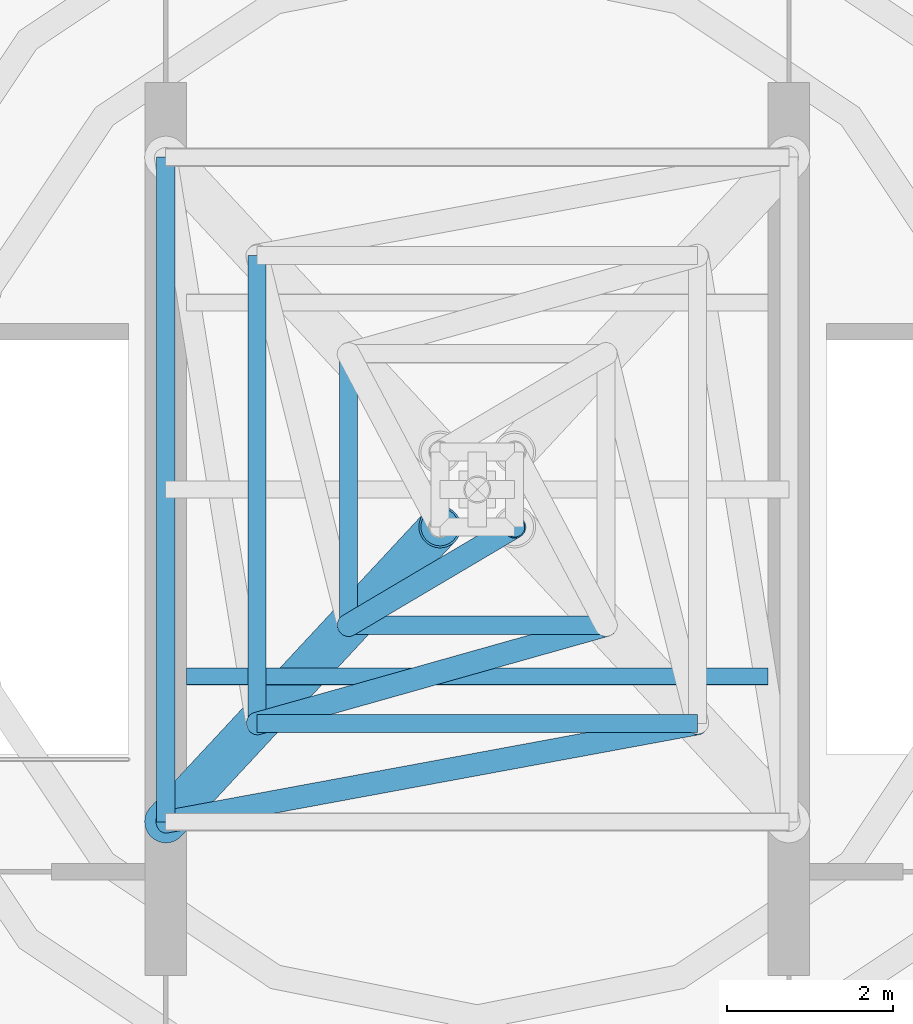
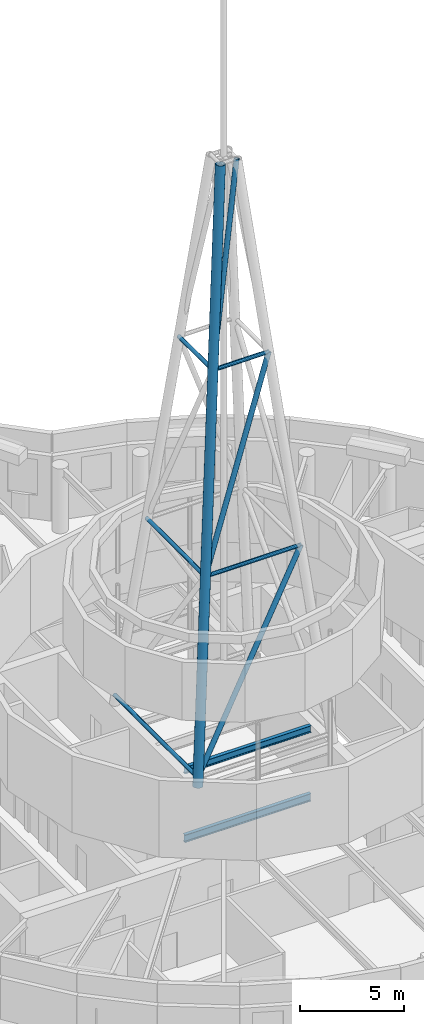
# One storey, part 3 of 17: 9 members, 2 beams.
"""IFC4 building model written with IfcOpenShell, lengths in metres."""

from ifc_helpers import new_model, si_unit, direction, frame, origin, origin_2d, place, context, subcontext, project, spatial, hollow_circle, i_section, extrude, material, material_profile, profile_set, type_object, element, save


model = new_model("IFC4")

# Units and contexts
model_context = context("Model", 3, precision=1e-05, world=origin(), true_north=direction((0.0, 1.0)))
body_context = subcontext(model_context, "Body", "Model", "MODEL_VIEW")
ifc_project = project(units=[si_unit("LENGTHUNIT", "METRE"), si_unit("AREAUNIT", "SQUARE_METRE"), si_unit("VOLUMEUNIT", "CUBIC_METRE"), si_unit("PLANEANGLEUNIT", "RADIAN"), si_unit("MASSUNIT", "GRAM", prefix="KILO")], contexts=[model_context])

# Site, building, storey
site_placement = place(None, origin())
site = spatial("IfcSite", under=ifc_project, at=site_placement, CompositionType="ELEMENT")
building_placement = place(site_placement, origin())
building = spatial("IfcBuilding", under=site, at=building_placement, Name="Tamarind Cross Interchange Tower", CompositionType="ELEMENT")
storey_placement = place(building_placement, frame((0.0, 0.0, 325.39990234375)))
storey = spatial("IfcBuildingStorey", under=building, at=storey_placement, Name="L80", CompositionType="ELEMENT", Elevation=325.39990234375)

# Beams
ifc_material = material(Name="Steel Q355B", Category="steel")
ifc_material_profile_1 = material_profile(ifc_material, i_section(OverallWidth=0.199951171875, OverallDepth=0.39990234375, WebThickness=0.008056640625, FlangeThickness=0.012939453125, FilletRadius=0.01611328125, at=origin_2d()), Name="HN 400x200x8x13")
ifc_profile_set_1 = profile_set([ifc_material_profile_1], Name="Steel Q355B")
beam_type_1 = type_object("IfcBeamType", Name="Composite beam HN 400x200x8x13 Q355B", PredefinedType="BEAM", material=ifc_profile_set_1)
beam_1_placement = place(storey_placement, frame((-3.5, -2.25, 3.60009765625), z_axis=(1.0, 0.0, 0.0), x_axis=(0.0, 1.0, 0.0)))
element("IfcBeam", 1, at=beam_1_placement, inside=storey, type_object=beam_type_1, Name="Beam G-2.25", PredefinedType="BEAM", context=body_context, shape_type="SweptSolid", body=[
    extrude(i_section(OverallWidth=0.199951171875, OverallDepth=0.39990234375, WebThickness=0.008056640625, FlangeThickness=0.012939453125, FilletRadius=0.01611328125, at=origin_2d()), origin(), (0.0, 0.0, 1.0), 7.0),
])
ifc_material_profile_2 = material_profile(ifc_material, i_section(OverallWidth=0.198974609375, OverallDepth=0.446044921875, WebThickness=0.008056640625, FlangeThickness=0.011962890625, FilletRadius=0.012939453125, at=origin_2d()), Name="HN 446x199x8x12")
ifc_profile_set_2 = profile_set([ifc_material_profile_2], Name="Steel Q355B")
beam_type_2 = type_object("IfcBeamType", Name="Composite beam HN 446x199x8x12 Q355B", PredefinedType="BEAM", material=ifc_profile_set_2)
beam_2_placement = place(storey_placement, frame((-3.5, -2.25, -0.40283203125), z_axis=(1.0, 0.0, 0.0), x_axis=(0.0, 1.0, 0.0)))
element("IfcBeam", 2, at=beam_2_placement, inside=storey, type_object=beam_type_2, Name="Beam G-2.25", PredefinedType="BEAM", context=body_context, shape_type="SweptSolid", body=[
    extrude(i_section(OverallWidth=0.198974609375, OverallDepth=0.446044921875, WebThickness=0.008056640625, FlangeThickness=0.011962890625, FilletRadius=0.012939453125, at=origin_2d()), origin(), (0.0, 0.0, 1.0), 7.0),
])

# Members
ifc_material_profile_3 = material_profile(ifc_material, hollow_circle(Radius=0.136474609375, WallThickness=0.013916015625, at=origin_2d()), Name="CHS 273x14")
ifc_profile_set_3 = profile_set([ifc_material_profile_3], Name="Steel Q355B")
member_type_1 = type_object("IfcMemberType", Name="Spire brace CHS 273x14 Q355B", PredefinedType="BRACE", material=ifc_profile_set_3)
member_1_placement = place(storey_placement, frame((-3.75, -4.0, 4.300048828125), z_axis=(0.511015207739, 0.094487324022, 0.854362688241), x_axis=(-0.181819258556, 0.983331966946, 0.0)))
element("IfcMember", 3, at=member_1_placement, inside=storey, type_object=member_type_1, Name="Spire brace 23", PredefinedType="BRACE", context=body_context, shape_type="SweptSolid", body=[
    extrude(hollow_circle(Radius=0.136474609375, WallThickness=0.013916015625, at=origin_2d()), origin(), (0.0, 0.0, 1.0), 12.52392578125),
])
member_2_placement = place(storey_placement, frame((-2.64990234375, -2.816650390625, 15.0), z_axis=(0.354910081386, 0.099997044962, 0.929537210191), x_axis=(-0.271194370507, 0.962524604052, 0.0)))
element("IfcMember", 4, at=member_2_placement, inside=storey, type_object=member_type_1, Name="Spire brace 27", PredefinedType="BRACE", context=body_context, shape_type="SweptSolid", body=[
    extrude(hollow_circle(Radius=0.136474609375, WallThickness=0.013916015625, at=origin_2d()), origin(), (0.0, 0.0, 1.0), 11.833740234375),
])
member_3_placement = place(storey_placement, frame((-1.550048828125, -1.63330078125, 26.0), z_axis=(0.177891794167, 0.105254092569, 0.978404867918), x_axis=(-0.509217679041, 0.860637760822, 0.0)))
element("IfcMember", 5, at=member_3_placement, inside=storey, type_object=member_type_1, Name="Spire brace 31", PredefinedType="BRACE", context=body_context, shape_type="SweptSolid", body=[
    extrude(hollow_circle(Radius=0.136474609375, WallThickness=0.013916015625, at=origin_2d()), origin(), (0.0, 0.0, 1.0), 11.24267578125),
])
ifc_material_profile_4 = material_profile(ifc_material, hollow_circle(Radius=0.25390625, WallThickness=0.02490234375, at=origin_2d()), Name="CHS 508x25")
ifc_profile_set_4 = profile_set([ifc_material_profile_4], Name="Steel Q355B")
member_type_2 = type_object("IfcMemberType", Name="Spire leg CHS 508x25 Q355B", PredefinedType="POST", material=ifc_profile_set_4)
member_4_placement = place(storey_placement, frame((-3.75, -4.0, 3.800048828125), z_axis=(0.098356543925, 0.105807687002, 0.989510345392), x_axis=(-0.732425616883, 0.68084705752, 0.0)))
element("IfcMember", 6, at=member_4_placement, inside=storey, type_object=member_type_2, Name="Spire leg 3", PredefinedType="POST", context=body_context, shape_type="SweptSolid", body=[
    extrude(hollow_circle(Radius=0.25390625, WallThickness=0.02490234375, at=origin_2d()), origin(), (0.0, 0.0, 1.0), 33.552001953125),
])
ifc_material_profile_5 = material_profile(ifc_material, hollow_circle(Radius=0.109619140625, WallThickness=0.011962890625, at=origin_2d()), Name="CHS 219x12")
ifc_profile_set_5 = profile_set([ifc_material_profile_5], Name="Steel Q355B")
member_type_3 = type_object("IfcMemberType", Name="Spire ring CHS 219x12 Q355B", PredefinedType="CHORD", material=ifc_profile_set_5)
member_5_placement = place(storey_placement, frame((-3.75, 4.0, 4.300048828125), z_axis=(0.0, -1.0, 0.0), x_axis=(1.0, 0.0, 0.0)))
element("IfcMember", 7, at=member_5_placement, inside=storey, type_object=member_type_3, Name="Spire ring 6", PredefinedType="CHORD", context=body_context, shape_type="SweptSolid", body=[
    extrude(hollow_circle(Radius=0.109619140625, WallThickness=0.011962890625, at=origin_2d()), origin(), (0.0, 0.0, 1.0), 8.0),
])
member_6_placement = place(storey_placement, frame((-2.64990234375, 2.816650390625, 15.0), z_axis=(0.0, -1.0, 0.0), x_axis=(1.0, 0.0, 0.0)))
element("IfcMember", 8, at=member_6_placement, inside=storey, type_object=member_type_3, Name="Spire ring 10", PredefinedType="CHORD", context=body_context, shape_type="SweptSolid", body=[
    extrude(hollow_circle(Radius=0.109619140625, WallThickness=0.011962890625, at=origin_2d()), origin(), (0.0, 0.0, 1.0), 5.63330078125),
])
member_7_placement = place(storey_placement, frame((-2.64990234375, -2.816650390625, 15.0), z_axis=(1.0, 0.0, 0.0), x_axis=(0.0, 1.0, 0.0)))
element("IfcMember", 9, at=member_7_placement, inside=storey, type_object=member_type_3, Name="Spire ring 11", PredefinedType="CHORD", context=body_context, shape_type="SweptSolid", body=[
    extrude(hollow_circle(Radius=0.109619140625, WallThickness=0.011962890625, at=origin_2d()), origin(), (0.0, 0.0, 1.0), 5.2998046875),
])
member_8_placement = place(storey_placement, frame((-1.550048828125, 1.63330078125, 26.0), z_axis=(0.0, -1.0, 0.0), x_axis=(1.0, 0.0, 0.0)))
element("IfcMember", 10, at=member_8_placement, inside=storey, type_object=member_type_3, Name="Spire ring 14", PredefinedType="CHORD", context=body_context, shape_type="SweptSolid", body=[
    extrude(hollow_circle(Radius=0.109619140625, WallThickness=0.011962890625, at=origin_2d()), origin(), (0.0, 0.0, 1.0), 3.2666015625),
])
member_9_placement = place(storey_placement, frame((-1.550048828125, -1.63330078125, 26.0), z_axis=(1.0, 0.0, 0.0), x_axis=(0.0, 1.0, 0.0)))
element("IfcMember", 11, at=member_9_placement, inside=storey, type_object=member_type_3, Name="Spire ring 15", PredefinedType="CHORD", context=body_context, shape_type="SweptSolid", body=[
    extrude(hollow_circle(Radius=0.109619140625, WallThickness=0.011962890625, at=origin_2d()), origin(), (0.0, 0.0, 1.0), 3.10009765625),
])

save(model, "model.ifc")
